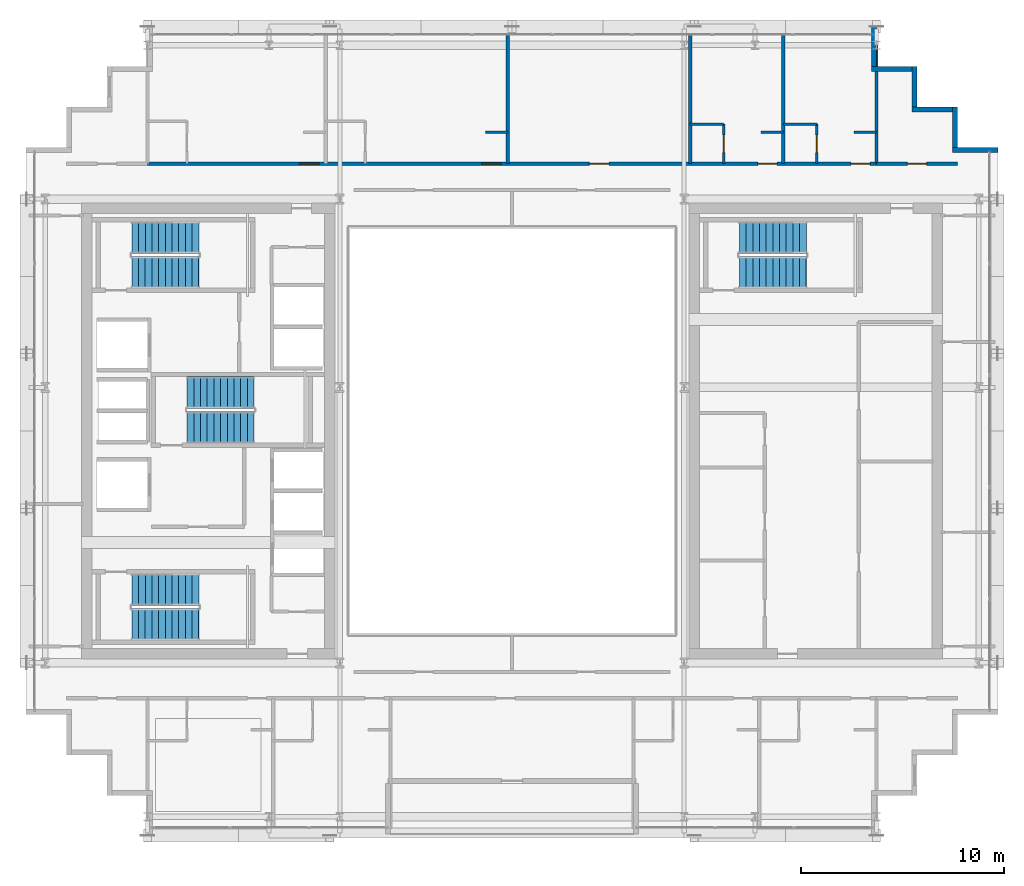
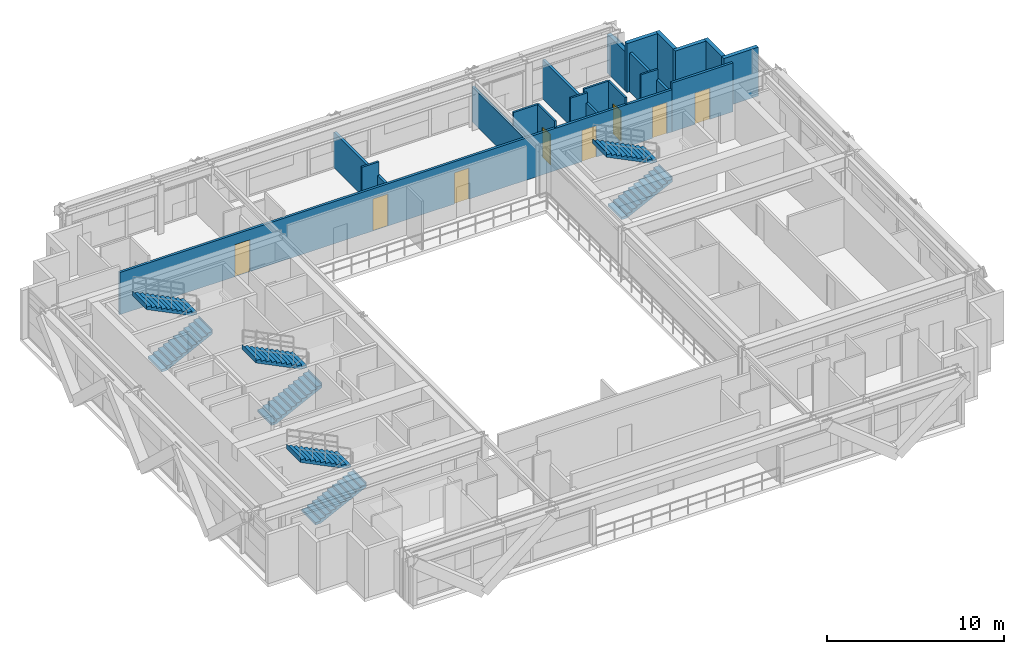
# One storey, part 28 of 32: 19 walls, 8 doors, 8 stair flights, 8 openings, 4 elements without a shape of their own.
"""IFC4 building model written with IfcOpenShell, lengths in metres."""

import ifcopenshell
import ifcopenshell.guid

model = None  # the IFC model being written
_history = None  # IfcOwnerHistory: only IFC2X3 demands one
_inside = {}  # id of a spatial element -> (the spatial element, [elements in it])
_under = {}  # id of a project, library or spatial element -> (it, [spatial elements below it])
_declared = {}  # id of a project -> (the project, [libraries it declares])
_typed = {}  # id of a type object -> (the type object, [elements of that type])
_made_of = {}  # id of a material, layer set ... -> (it, [elements and type objects made of it])


def new_model(schema):
    """Start an empty IFC model of exactly this schema.

    Asked for "IFC4X3", IfcOpenShell would pick the latest addendum, in which some entities
    have other attributes; the version numbers below select the first issue.
    IFC2X3 requires an IfcOwnerHistory on every rooted entity: one is made here for all.
    """
    global model, _history
    if schema == "IFC4X3":
        model = ifcopenshell.file(schema_version=(4, 3, 0, 0))
    else:
        model = ifcopenshell.file(schema=schema)
    _inside.clear()
    _under.clear()
    _declared.clear()
    _typed.clear()
    _made_of.clear()
    _history = None
    if model.schema == "IFC2X3":
        org = make("IfcOrganization", Name="unknown")
        user = make(
            "IfcPersonAndOrganization",
            ThePerson=make("IfcPerson", FamilyName="unknown"),
            TheOrganization=org,
        )
        app = make(
            "IfcApplication",
            ApplicationDeveloper=org,
            Version="unknown",
            ApplicationFullName="unknown",
            ApplicationIdentifier="unknown",
        )
        _history = make(
            "IfcOwnerHistory",
            OwningUser=user,
            OwningApplication=app,
            ChangeAction="ADDED",
            CreationDate=0,
        )
    return model


def make(cls, **values):
    """One entity of the class cls with the attributes given. An attribute that is None is left unset."""
    return model.create_entity(
        cls, **{name: value for name, value in values.items() if value is not None}
    )


def rooted(cls, **values):
    """An entity with a GlobalId (a new one), such as an element, a storey or a relation."""
    return make(cls, GlobalId=ifcopenshell.guid.new(), OwnerHistory=_history, **values)


def si_unit(unit_type, name, prefix=None):
    """IfcSIUnit, for example si_unit("LENGTHUNIT", "METRE", prefix="MILLI")."""
    return make("IfcSIUnit", UnitType=unit_type, Prefix=prefix, Name=name)


def assignment(units):
    """IfcUnitAssignment: the units of a project."""
    return None if units is None else make("IfcUnitAssignment", Units=units)


def point(xyz):
    """IfcCartesianPoint."""
    return None if xyz is None else make("IfcCartesianPoint", Coordinates=xyz)


def direction(xyz):
    """IfcDirection."""
    return None if xyz is None else make("IfcDirection", DirectionRatios=xyz)


def frame(location, z_axis=None, x_axis=None):
    """IfcAxis2Placement3D, a coordinate frame: its origin and axes. An axis left out is left unset."""
    return make(
        "IfcAxis2Placement3D",
        Location=point(location),
        Axis=direction(z_axis),
        RefDirection=direction(x_axis),
    )


def frame_2d(location, x_axis=None):
    """IfcAxis2Placement2D, a coordinate frame in the plane: its origin and x axis."""
    return make(
        "IfcAxis2Placement2D", Location=point(location), RefDirection=direction(x_axis)
    )


def origin():
    """The frame at (0, 0, 0) with its axes left unset."""
    return frame((0.0, 0.0, 0.0))


def place(relative_to, where):
    """IfcLocalPlacement: puts the frame where relative to a parent placement (None: the world)."""
    return make(
        "IfcLocalPlacement", PlacementRelTo=relative_to, RelativePlacement=where
    )


def context(
    kind, dimensions, precision=None, world=None, true_north=None, identifier=None
):
    """IfcGeometricRepresentationContext, for example the 3D "Model" context."""
    return make(
        "IfcGeometricRepresentationContext",
        ContextIdentifier=identifier,
        ContextType=kind,
        CoordinateSpaceDimension=dimensions,
        Precision=precision,
        WorldCoordinateSystem=world,
        TrueNorth=true_north,
    )


def subcontext(parent, identifier, kind, view, scale=None):
    """IfcGeometricRepresentationSubContext, for example "Body" below "Model"."""
    return make(
        "IfcGeometricRepresentationSubContext",
        ContextIdentifier=identifier,
        ContextType=kind,
        ParentContext=parent,
        TargetScale=scale,
        TargetView=view,
    )


def project(units=None, contexts=None):
    """IfcProject with its units and contexts."""
    return rooted(
        "IfcProject",
        Name="project",
        RepresentationContexts=contexts,
        UnitsInContext=assignment(units),
    )


def spatial(cls, under=None, at=None, **own):
    """A site, building, storey or space (cls), placed at a placement, below another one or the project."""
    s = rooted(cls, ObjectPlacement=at, **own)
    if under is not None:
        _under.setdefault(under.id(), (under, []))[1].append(s)
    return s


def polyline(points):
    """IfcPolyline through the points."""
    return make("IfcPolyline", Points=[point(p) for p in points])


def profile(cls, at=None, kind="AREA", **sizes):
    """A parametric profile (cls). Its sizes go by their IFC names, for example OverallWidth=200.0."""
    return make(cls, ProfileType=kind, Position=at, **sizes)


def rectangle(**sizes):
    """IfcRectangleProfileDef."""
    return profile("IfcRectangleProfileDef", **sizes)


def outline(outer, holes=None, kind="AREA"):
    """IfcArbitraryClosedProfileDef: a profile drawn as a closed curve; with holes, ...WithVoids."""
    if holes is None:
        return make("IfcArbitraryClosedProfileDef", ProfileType=kind, OuterCurve=outer)
    return make(
        "IfcArbitraryProfileDefWithVoids",
        ProfileType=kind,
        OuterCurve=outer,
        InnerCurves=holes,
    )


def extrude(swept, where, along, depth):
    """IfcExtrudedAreaSolid: the profile swept, set in the frame where, extruded along a direction by depth."""
    return make(
        "IfcExtrudedAreaSolid",
        SweptArea=swept,
        Position=where,
        ExtrudedDirection=direction(along),
        Depth=depth,
    )


def shape(context_of_items, identifier, shape_type, items):
    """IfcShapeRepresentation: the items that make up one representation, for example the "Body"."""
    return make(
        "IfcShapeRepresentation",
        ContextOfItems=context_of_items,
        RepresentationIdentifier=identifier,
        RepresentationType=shape_type,
        Items=items,
    )


def source(mapping_origin, context_of_items, identifier, shape_type, items):
    """IfcRepresentationMap: a shape defined once, which mapped items show again and again."""
    return make(
        "IfcRepresentationMap",
        MappingOrigin=mapping_origin,
        MappedRepresentation=shape(context_of_items, identifier, shape_type, items),
    )


def transform(
    local_origin,
    x_axis=None,
    y_axis=None,
    z_axis=None,
    scale=None,
    scale2=None,
    scale3=None,
    uniform=True,
):
    """IfcCartesianTransformationOperator3D, or its non-uniform kind. x_axis, y_axis, z_axis: its Axis1, 2, 3."""
    if uniform:
        return make(
            "IfcCartesianTransformationOperator3D",
            Axis1=direction(x_axis),
            Axis2=direction(y_axis),
            LocalOrigin=point(local_origin),
            Scale=scale,
            Axis3=direction(z_axis),
        )
    return make(
        "IfcCartesianTransformationOperator3DnonUniform",
        Axis1=direction(x_axis),
        Axis2=direction(y_axis),
        LocalOrigin=point(local_origin),
        Scale=scale,
        Axis3=direction(z_axis),
        Scale2=scale2,
        Scale3=scale3,
    )


def mapped(mapping_source, mapping_target):
    """IfcMappedItem: shows the shape of a source again, moved by a transform."""
    return make(
        "IfcMappedItem", MappingSource=mapping_source, MappingTarget=mapping_target
    )


def material(Name=None, Category=None):
    """IfcMaterial."""
    return make("IfcMaterial", Name=Name, Category=Category)


def layer(
    of_material, thickness, ventilated=None, Name=None, Category=None, Priority=None
):
    """IfcMaterialLayer: one layer of a wall or slab, of a material (None: an air gap)."""
    return make(
        "IfcMaterialLayer",
        Material=of_material,
        LayerThickness=thickness,
        IsVentilated=ventilated,
        Name=Name,
        Category=Category,
        Priority=Priority,
    )


def layer_set(layers, Name=None):
    """IfcMaterialLayerSet."""
    return make("IfcMaterialLayerSet", MaterialLayers=layers, LayerSetName=Name)


def made_of(thing, what):
    """Note that an element or type object is made of a material, layer set ...; save() writes the relation."""
    if what is not None:
        _made_of.setdefault(what.id(), (what, []))[1].append(thing)
    return thing


def type_object(cls, material=None, **own):
    """A type object (cls), such as IfcWallType, which elements share."""
    return made_of(rooted(cls, **own), material)


def element(
    cls,
    number,
    at=None,
    inside=None,
    cuts=None,
    type_object=None,
    material=None,
    context=None,
    identifier="Body",
    shape_type=None,
    held_by="IfcProductDefinitionShape",
    body=None,
    shapes=None,
    **own,
):
    """One element of the class cls, such as IfcWall. Its Tag is "e" and its number.

    at: its placement. inside: the storey or other place that contains it. cuts: it is an
    opening in that element (IfcRelVoidsElement). A single representation is given by context,
    identifier, shape_type and body (its items); several are given by shapes. held_by: the class
    of the entity that holds the representations. save() writes the other relations.
    """
    e = rooted(cls, Tag="e%d" % number, ObjectPlacement=at, **own)
    if body is not None:
        shapes = [shape(context, identifier, shape_type, body)]
    if shapes is not None:
        e.Representation = make(held_by, Representations=shapes)
    if inside is not None:
        _inside.setdefault(inside.id(), (inside, []))[1].append(e)
    if cuts is not None:
        rooted(
            "IfcRelVoidsElement", RelatingBuildingElement=cuts, RelatedOpeningElement=e
        )
    if type_object is not None:
        _typed.setdefault(type_object.id(), (type_object, []))[1].append(e)
    return made_of(e, material)


def fill(opening, filler):
    """IfcRelFillsElement: the door or window that sits in an opening."""
    return rooted(
        "IfcRelFillsElement",
        RelatingOpeningElement=opening,
        RelatedBuildingElement=filler,
    )


def aggregate(whole, parts):
    """IfcRelAggregates: a whole, such as a stair, and the parts it consists of."""
    return rooted("IfcRelAggregates", RelatingObject=whole, RelatedObjects=parts)


def save(model, path):
    """Write the relations noted so far, then the file.

    IfcRelAggregates (storeys below a building ...), IfcRelContainedInSpatialStructure (elements
    in a storey), IfcRelDefinesByType, IfcRelAssociatesMaterial and IfcRelDeclares: one each for
    every whole, place, type object, material and project.
    """
    for whole, parts in _under.values():
        aggregate(whole, parts)
    for where, things in _inside.values():
        rooted(
            "IfcRelContainedInSpatialStructure",
            RelatedElements=things,
            RelatingStructure=where,
        )
    for kind, things in _typed.values():
        rooted("IfcRelDefinesByType", RelatedObjects=things, RelatingType=kind)
    for what, things in _made_of.values():
        rooted("IfcRelAssociatesMaterial", RelatedObjects=things, RelatingMaterial=what)
    for by, libraries in _declared.values():
        rooted("IfcRelDeclares", RelatingContext=by, RelatedDefinitions=libraries)
    model.write(path)


model = new_model("IFC4")

# Units and contexts
model_context = context("Model", 3, precision=1e-05, world=origin(), true_north=direction((0.0, 1.0)))
body_context = subcontext(model_context, "Body", "Model", "MODEL_VIEW")
ifc_project = project(units=[si_unit("LENGTHUNIT", "METRE"), si_unit("AREAUNIT", "SQUARE_METRE"), si_unit("VOLUMEUNIT", "CUBIC_METRE"), si_unit("PLANEANGLEUNIT", "RADIAN"), si_unit("MASSUNIT", "GRAM", prefix="KILO")], contexts=[model_context])

# Site, building, storey
site_placement = place(None, origin())
site = spatial("IfcSite", under=ifc_project, at=site_placement, CompositionType="ELEMENT")
building_placement = place(site_placement, origin())
building = spatial("IfcBuilding", under=site, at=building_placement, Name="Ocotamira Hotel", CompositionType="ELEMENT")
storey_placement = place(building_placement, frame((0.0, 0.0, 177.60009765625)))
storey = spatial("IfcBuildingStorey", under=building, at=storey_placement, Name="L44", CompositionType="ELEMENT", Elevation=177.60009765625)

# Walls
ifc_material_1 = material(Name="Precast concrete C45/55", Category="concrete")
ifc_layer_1 = layer(ifc_material_1, 0.25)
ifc_layer_set_1 = layer_set([ifc_layer_1], Name="Precast concrete C45/55")
wall_type_1 = type_object("IfcWallType", Name="WL-EXT-SER-250", PredefinedType="SOLIDWALL", material=ifc_layer_set_1)
wall_1_placement = place(storey_placement, frame((56.0, 39.875, 0.0), z_axis=(0.0, 0.0, 1.0), x_axis=(-1.0, 0.0, 0.0)))
element("IfcWall", 1, at=wall_1_placement, inside=storey, type_object=wall_type_1, Name="L44 Serrated Corner Wall 07", PredefinedType="SOLIDWALL", context=body_context, shape_type="SweptSolid", body=[
    extrude(rectangle(XDim=2.25, YDim=0.25, at=frame_2d((1.125, 0.0))), origin(), (0.0, 0.0, 1.0), 3.369873046875),
])
for number, where, z_axis, x_axis, name in (
    (2, (53.875, 40.0, 0.0), (0.0, 0.0, 1.0), (0.0, 1.0, 0.0), "L44 Serrated Corner Wall 08"),
    (3, (53.75, 41.875, 0.0), (0.0, 0.0, 1.0), (-1.0, 0.0, 0.0), "L44 Serrated Corner Wall 09"),
    (4, (51.875, 42.0, 0.0), (0.0, 0.0, 1.0), (0.0, 1.0, 0.0), "L44 Serrated Corner Wall 10"),
    (5, (51.75, 43.875, 0.0), (0.0, 0.0, 1.0), (-1.0, 0.0, 0.0), "L44 Serrated Corner Wall 11"),
):
    element("IfcWall", number, at=place(storey_placement, frame(where, z_axis=z_axis, x_axis=x_axis)), inside=storey, type_object=wall_type_1, Name=name, PredefinedType="SOLIDWALL", context=body_context, shape_type="SweptSolid", body=[
        extrude(rectangle(XDim=2.0, YDim=0.25, at=frame_2d((1.0, 0.0))), origin(), (0.0, 0.0, 1.0), 3.369873046875),
    ])
wall_2_placement = place(storey_placement, frame((49.875, 44.0, 0.0), z_axis=(0.0, 0.0, 1.0), x_axis=(0.0, 1.0, 0.0)))
element("IfcWall", 6, at=wall_2_placement, inside=storey, type_object=wall_type_1, Name="L44 Serrated Corner Wall 12", PredefinedType="SOLIDWALL", context=body_context, shape_type="SweptSolid", body=[
    extrude(rectangle(XDim=2.0, YDim=0.25, at=frame_2d((1.0, 0.0))), origin(), (0.0, 0.0, 1.0), 2.677001953125),
])

# Wall, opening, door
ifc_material_2 = material(Name="Acoustic double-layer fire gypsum board partition", Category="gypsum")
ifc_layer_2 = layer(ifc_material_2, 0.159912109375)
ifc_layer_set_2 = layer_set([ifc_layer_2], Name="Acoustic double-layer fire gypsum board partition")
wall_type_2 = type_object("IfcWallType", Name="WL-FIRE-160", PredefinedType="PARTITIONING", material=ifc_layer_set_2)
wall_3_placement = place(storey_placement, frame((50.0, 39.199951171875, 0.0), z_axis=(0.0, 0.0, 1.0), x_axis=(1.0, 0.0, 0.0)))
wall_3 = element("IfcWall", 7, at=wall_3_placement, inside=storey, type_object=wall_type_2, Name="L44 Interior Wall PW-L44-Z3B-CNE-CW", PredefinedType="PARTITIONING", context=body_context, shape_type="SweptSolid", body=[
    extrude(rectangle(XDim=4.0, YDim=0.159912109375, at=frame_2d((2.0, 0.0))), origin(), (0.0, 0.0, 1.0), 3.369873046875),
])
opening_1_placement = place(wall_3_placement, frame((1.52001953125, 0.0, 0.0)))
opening_1 = element("IfcOpeningElement", 8, at=opening_1_placement, cuts=wall_3, Name="Opening D-SV4", PredefinedType="OPENING", context=body_context, shape_type="SweptSolid", body=[
    extrude(rectangle(XDim=0.9599609375, YDim=2.14990234375, at=frame_2d((0.47998046875, 1.074951171875))), frame((0.0, 0.08984375, 0.0), z_axis=(0.0, -1.0, 0.0), x_axis=(1.0, 0.0, 0.0)), (0.0, 0.0, 1.0), 0.179931640625),
])
ifc_material_3 = material(Name="Fire-rated accessible walnut salon door", Category="wood")
door_type_1 = type_object("IfcDoorType", Name="DR-SERV-960", OperationType="NOTDEFINED", PredefinedType="DOOR", material=ifc_material_3)
shared_shape_1 = source(origin(), body_context, "Body", "SweptSolid", [
    extrude(rectangle(XDim=0.9599609375, YDim=2.14990234375, at=frame_2d((0.47998046875, 1.074951171875))), frame((0.0, 0.02490234375, 0.0), z_axis=(0.0, -1.0, 0.0), x_axis=(1.0, 0.0, 0.0)), (0.0, 0.0, 1.0), 0.050048828125),
])
door_1_placement = place(opening_1_placement, origin())
door_1 = element("IfcDoor", 9, at=door_1_placement, inside=storey, type_object=door_type_1, Name="L44 Door ID-L44-Z3B-CNE-CD [ID-L44-Z3B-CNE-CD]", OperationType="SINGLE_SWING_LEFT", OverallHeight=2.14990234375, OverallWidth=0.9599609375, PredefinedType="DOOR", context=body_context, shape_type="MappedRepresentation", body=[
    mapped(shared_shape_1, transform((0.0, 0.0, 0.0), scale=1.0)),
])
fill(opening_1, door_1)

# Wall, openings, doors
wall_4_placement = place(storey_placement, frame((14.0, 39.199951171875, 0.0), z_axis=(0.0, 0.0, 1.0), x_axis=(1.0, 0.0, 0.0)))
wall_4 = element("IfcWall", 10, at=wall_4_placement, inside=storey, type_object=wall_type_2, Name="L44 Interior Wall PW-L44-Z3BN-CORRW", PredefinedType="PARTITIONING", context=body_context, shape_type="SweptSolid", body=[
    extrude(rectangle(XDim=36.0, YDim=0.159912109375, at=frame_2d((18.0, 0.0))), origin(), (0.0, 0.0, 1.0), 2.912841796875),
])
opening_2_placement = place(wall_4_placement, frame((7.5, 0.0, 0.0)))
opening_2 = element("IfcOpeningElement", 11, at=opening_2_placement, cuts=wall_4, Name="Opening D-GR2", PredefinedType="OPENING", context=body_context, shape_type="SweptSolid", body=[
    extrude(rectangle(XDim=0.97998046875, YDim=2.199951171875, at=frame_2d((0.489990234375, 1.10009765625))), frame((0.0, 0.08984375, 0.0), z_axis=(0.0, -1.0, 0.0), x_axis=(1.0, 0.0, 0.0)), (0.0, 0.0, 1.0), 0.179931640625),
])
opening_3_placement = place(wall_4_placement, frame((16.5, 0.0, 0.0)))
opening_3 = element("IfcOpeningElement", 12, at=opening_3_placement, cuts=wall_4, Name="Opening D-GR2", PredefinedType="OPENING", context=body_context, shape_type="SweptSolid", body=[
    extrude(rectangle(XDim=0.97998046875, YDim=2.199951171875, at=frame_2d((0.489990234375, 1.10009765625))), frame((0.0, 0.08984375, 0.0), z_axis=(0.0, -1.0, 0.0), x_axis=(1.0, 0.0, 0.0)), (0.0, 0.0, 1.0), 0.179931640625),
])
opening_4_placement = place(wall_4_placement, frame((21.820068359375, 0.0, 0.0)))
opening_4 = element("IfcOpeningElement", 13, at=opening_4_placement, cuts=wall_4, Name="Opening D-SV4", PredefinedType="OPENING", context=body_context, shape_type="SweptSolid", body=[
    extrude(rectangle(XDim=0.9599609375, YDim=2.14990234375, at=frame_2d((0.47998046875, 1.074951171875))), frame((0.0, 0.08984375, 0.0), z_axis=(0.0, -1.0, 0.0), x_axis=(1.0, 0.0, 0.0)), (0.0, 0.0, 1.0), 0.179931640625),
])
opening_5_placement = place(wall_4_placement, frame((30.139892578125, 0.0, 0.0)))
opening_5 = element("IfcOpeningElement", 14, at=opening_5_placement, cuts=wall_4, Name="Opening D-GR1", PredefinedType="OPENING", context=body_context, shape_type="SweptSolid", body=[
    extrude(rectangle(XDim=0.93994140625, YDim=2.14990234375, at=frame_2d((0.469970703125, 1.074951171875))), frame((0.0, 0.08984375, 0.0), z_axis=(0.0, -1.0, 0.0), x_axis=(1.0, 0.0, 0.0)), (0.0, 0.0, 1.0), 0.179931640625),
])
opening_6_placement = place(wall_4_placement, frame((34.739990234375, 0.0, 0.0)))
opening_6 = element("IfcOpeningElement", 15, at=opening_6_placement, cuts=wall_4, Name="Opening D-GR1", PredefinedType="OPENING", context=body_context, shape_type="SweptSolid", body=[
    extrude(rectangle(XDim=0.93994140625, YDim=2.14990234375, at=frame_2d((0.469970703125, 1.074951171875))), frame((0.0, 0.08984375, 0.0), z_axis=(0.0, -1.0, 0.0), x_axis=(1.0, 0.0, 0.0)), (0.0, 0.0, 1.0), 0.179931640625),
])
door_2_placement = place(opening_4_placement, origin())
door_2 = element("IfcDoor", 16, at=door_2_placement, inside=storey, type_object=door_type_1, Name="L44 Door ID-L44-Z3BN-AMD3 [ID-L44-Z3BN-AMD3]", OperationType="SINGLE_SWING_LEFT", OverallHeight=2.14990234375, OverallWidth=0.9599609375, PredefinedType="DOOR", context=body_context, shape_type="MappedRepresentation", body=[
    mapped(shared_shape_1, transform((0.0, 0.0, 0.0), scale=1.0)),
])
fill(opening_4, door_2)
ifc_material_4 = material(Name="Solid-core walnut suite entrance fire door", Category="wood")
door_type_2 = type_object("IfcDoorType", Name="DR-GUEST-940", OperationType="NOTDEFINED", PredefinedType="DOOR", material=ifc_material_4)
shared_shape_2 = source(origin(), body_context, "Body", "SweptSolid", [
    extrude(rectangle(XDim=0.93994140625, YDim=2.14990234375, at=frame_2d((0.469970703125, 1.074951171875))), frame((0.0, 0.02490234375, 0.0), z_axis=(0.0, -1.0, 0.0), x_axis=(1.0, 0.0, 0.0)), (0.0, 0.0, 1.0), 0.050048828125),
])
door_3_placement = place(opening_5_placement, origin())
door_3 = element("IfcDoor", 17, at=door_3_placement, inside=storey, type_object=door_type_2, Name="L44 Door ID-L44-Z3BN-RMD4 [ID-L44-Z3BN-RMD4]", OperationType="SINGLE_SWING_RIGHT", OverallHeight=2.14990234375, OverallWidth=0.93994140625, PredefinedType="DOOR", context=body_context, shape_type="MappedRepresentation", body=[
    mapped(shared_shape_2, transform((0.0, 0.0, 0.0), scale=1.0)),
])
fill(opening_5, door_3)
door_4_placement = place(opening_6_placement, origin())
door_4 = element("IfcDoor", 18, at=door_4_placement, inside=storey, type_object=door_type_2, Name="L44 Door ID-L44-Z3BN-RMD5 [ID-L44-Z3BN-RMD5]", OperationType="SINGLE_SWING_LEFT", OverallHeight=2.14990234375, OverallWidth=0.93994140625, PredefinedType="DOOR", context=body_context, shape_type="MappedRepresentation", body=[
    mapped(shared_shape_2, transform((0.0, 0.0, 0.0), scale=1.0)),
])
fill(opening_6, door_4)
ifc_material_5 = material(Name="Solid-core walnut grand-suite entrance fire door", Category="wood")
door_type_3 = type_object("IfcDoorType", Name="DR-GUEST-980", OperationType="NOTDEFINED", PredefinedType="DOOR", material=ifc_material_5)
shared_shape_3 = source(origin(), body_context, "Body", "SweptSolid", [
    extrude(rectangle(XDim=0.97998046875, YDim=2.199951171875, at=frame_2d((0.489990234375, 1.10009765625))), frame((0.0, 0.02490234375, 0.0), z_axis=(0.0, -1.0, 0.0), x_axis=(1.0, 0.0, 0.0)), (0.0, 0.0, 1.0), 0.050048828125),
])
door_5_placement = place(opening_2_placement, origin())
door_5 = element("IfcDoor", 19, at=door_5_placement, inside=storey, type_object=door_type_3, Name="L44 Door ID-L44-Z3BN-RMD1 [ID-L44-Z3BN-RMD1]", OperationType="SINGLE_SWING_LEFT", OverallHeight=2.199951171875, OverallWidth=0.97998046875, PredefinedType="DOOR", context=body_context, shape_type="MappedRepresentation", body=[
    mapped(shared_shape_3, transform((0.0, 0.0, 0.0), scale=1.0)),
])
fill(opening_2, door_5)
door_6_placement = place(opening_3_placement, origin())
door_6 = element("IfcDoor", 20, at=door_6_placement, inside=storey, type_object=door_type_3, Name="L44 Door ID-L44-Z3BN-RMD2 [ID-L44-Z3BN-RMD2]", OperationType="SINGLE_SWING_RIGHT", OverallHeight=2.199951171875, OverallWidth=0.97998046875, PredefinedType="DOOR", context=body_context, shape_type="MappedRepresentation", body=[
    mapped(shared_shape_3, transform((0.0, 0.0, 0.0), scale=1.0)),
])
fill(opening_3, door_6)

# Wall
ifc_material_6 = material(Name="Moisture-resistant en-suite tile and gypsum partition", Category="gypsum")
ifc_layer_3 = layer(ifc_material_6, 0.1201171875)
ifc_layer_set_3 = layer_set([ifc_layer_3], Name="Moisture-resistant en-suite tile and gypsum partition")
wall_type_3 = type_object("IfcWallType", Name="WL-PART-120", PredefinedType="PARTITIONING", material=ifc_layer_set_3)
wall_5_placement = place(storey_placement, frame((30.699951171875, 40.75, 0.0), z_axis=(0.0, 0.0, 1.0), x_axis=(1.0, 0.0, 0.0)))
element("IfcWall", 21, at=wall_5_placement, inside=storey, type_object=wall_type_3, Name="L44 Interior Wall PW-L44-Z3BN-DRN2", PredefinedType="PARTITIONING", context=body_context, shape_type="SweptSolid", body=[
    extrude(rectangle(XDim=1.10009765625, YDim=0.1201171875, at=frame_2d((0.550048828125, 0.0))), origin(), (0.0, 0.0, 1.0), 3.369873046875),
])

# Wall, opening, door
wall_6_placement = place(storey_placement, frame((42.449951171875, 39.199951171875, 0.0), z_axis=(0.0, 0.0, 1.0), x_axis=(0.0, 1.0, 0.0)))
wall_6 = element("IfcWall", 22, at=wall_6_placement, inside=storey, type_object=wall_type_3, Name="L44 Interior Wall PW-L44-Z3BN-BAE4", PredefinedType="PARTITIONING", context=body_context, shape_type="SweptSolid", body=[
    extrude(rectangle(XDim=1.949951171875, YDim=0.1201171875, at=frame_2d((0.97509765625, 0.0))), origin(), (0.0, 0.0, 1.0), 3.369873046875),
])
opening_7_placement = place(wall_6_placement, frame((0.544921875, 0.0, 0.0)))
opening_7 = element("IfcOpeningElement", 23, at=opening_7_placement, cuts=wall_6, Name="Opening D-BA1", PredefinedType="OPENING", context=body_context, shape_type="SweptSolid", body=[
    extrude(rectangle(XDim=0.860107421875, YDim=2.10009765625, at=frame_2d((0.43017578125, 1.050048828125))), frame((0.0, 0.070068359375, 0.0), z_axis=(0.0, -1.0, 0.0), x_axis=(1.0, 0.0, 0.0)), (0.0, 0.0, 1.0), 0.14013671875),
])
ifc_material_7 = material(Name="Moisture-sealed en-suite timber door", Category="wood")
door_type_4 = type_object("IfcDoorType", Name="DR-BATH-860", OperationType="NOTDEFINED", PredefinedType="DOOR", material=ifc_material_7)
shared_shape_4 = source(origin(), body_context, "Body", "SweptSolid", [
    extrude(rectangle(XDim=0.860107421875, YDim=2.10009765625, at=frame_2d((0.43017578125, 1.050048828125))), frame((0.0, 0.02490234375, 0.0), z_axis=(0.0, -1.0, 0.0), x_axis=(1.0, 0.0, 0.0)), (0.0, 0.0, 1.0), 0.050048828125),
])
door_7_placement = place(opening_7_placement, origin())
door_7 = element("IfcDoor", 24, at=door_7_placement, inside=storey, type_object=door_type_4, Name="L44 Door ID-L44-Z3BN-BAD4 [ID-L44-Z3BN-BAD4]", OperationType="SINGLE_SWING_LEFT", OverallHeight=2.10009765625, OverallWidth=0.860107421875, PredefinedType="DOOR", context=body_context, shape_type="MappedRepresentation", body=[
    mapped(shared_shape_4, transform((0.0, 0.0, 0.0), scale=1.0)),
])
fill(opening_7, door_7)

# Walls
wall_7_placement = place(storey_placement, frame((40.800048828125, 41.14990234375, 0.0), z_axis=(0.0, 0.0, 1.0), x_axis=(1.0, 0.0, 0.0)))
element("IfcWall", 25, at=wall_7_placement, inside=storey, type_object=wall_type_3, Name="L44 Interior Wall PW-L44-Z3BN-BAN4", PredefinedType="PARTITIONING", context=body_context, shape_type="SweptSolid", body=[
    extrude(rectangle(XDim=1.64990234375, YDim=0.1201171875, at=frame_2d((0.824951171875, 0.0))), origin(), (0.0, 0.0, 1.0), 3.369873046875),
])
wall_8_placement = place(storey_placement, frame((44.300048828125, 40.75, 0.0), z_axis=(0.0, 0.0, 1.0), x_axis=(1.0, 0.0, 0.0)))
element("IfcWall", 26, at=wall_8_placement, inside=storey, type_object=wall_type_3, Name="L44 Interior Wall PW-L44-Z3BN-DRN4", PredefinedType="PARTITIONING", context=body_context, shape_type="SweptSolid", body=[
    extrude(rectangle(XDim=1.099853515625, YDim=0.1201171875, at=frame_2d((0.5498046875, 0.0))), origin(), (0.0, 0.0, 1.0), 3.369873046875),
])

# Wall, opening, door
wall_9_placement = place(storey_placement, frame((47.050048828125, 39.199951171875, 0.0), z_axis=(0.0, 0.0, 1.0), x_axis=(0.0, 1.0, 0.0)))
wall_9 = element("IfcWall", 27, at=wall_9_placement, inside=storey, type_object=wall_type_3, Name="L44 Interior Wall PW-L44-Z3BN-BAE5", PredefinedType="PARTITIONING", context=body_context, shape_type="SweptSolid", body=[
    extrude(rectangle(XDim=1.949951171875, YDim=0.1201171875, at=frame_2d((0.97509765625, 0.0))), origin(), (0.0, 0.0, 1.0), 3.369873046875),
])
opening_8_placement = place(wall_9_placement, frame((0.544921875, 0.0, 0.0)))
opening_8 = element("IfcOpeningElement", 28, at=opening_8_placement, cuts=wall_9, Name="Opening D-BA1", PredefinedType="OPENING", context=body_context, shape_type="SweptSolid", body=[
    extrude(rectangle(XDim=0.860107421875, YDim=2.10009765625, at=frame_2d((0.43017578125, 1.050048828125))), frame((0.0, 0.070068359375, 0.0), z_axis=(0.0, -1.0, 0.0), x_axis=(1.0, 0.0, 0.0)), (0.0, 0.0, 1.0), 0.14013671875),
])
door_8_placement = place(opening_8_placement, origin())
door_8 = element("IfcDoor", 29, at=door_8_placement, inside=storey, type_object=door_type_4, Name="L44 Door ID-L44-Z3BN-BAD5 [ID-L44-Z3BN-BAD5]", OperationType="SINGLE_SWING_RIGHT", OverallHeight=2.10009765625, OverallWidth=0.860107421875, PredefinedType="DOOR", context=body_context, shape_type="MappedRepresentation", body=[
    mapped(shared_shape_4, transform((0.0, 0.0, 0.0), scale=1.0)),
])
fill(opening_8, door_8)

# Walls
wall_10_placement = place(storey_placement, frame((45.39990234375, 41.14990234375, 0.0), z_axis=(0.0, 0.0, 1.0), x_axis=(1.0, 0.0, 0.0)))
element("IfcWall", 30, at=wall_10_placement, inside=storey, type_object=wall_type_3, Name="L44 Interior Wall PW-L44-Z3BN-BAN5", PredefinedType="PARTITIONING", context=body_context, shape_type="SweptSolid", body=[
    extrude(rectangle(XDim=1.650146484375, YDim=0.1201171875, at=frame_2d((0.8251953125, 0.0))), origin(), (0.0, 0.0, 1.0), 3.369873046875),
])
wall_11_placement = place(storey_placement, frame((48.89990234375, 40.75, 0.0), z_axis=(0.0, 0.0, 1.0), x_axis=(1.0, 0.0, 0.0)))
element("IfcWall", 31, at=wall_11_placement, inside=storey, type_object=wall_type_3, Name="L44 Interior Wall PW-L44-Z3BN-DRN5", PredefinedType="PARTITIONING", context=body_context, shape_type="SweptSolid", body=[
    extrude(rectangle(XDim=1.10009765625, YDim=0.1201171875, at=frame_2d((0.550048828125, 0.0))), origin(), (0.0, 0.0, 1.0), 3.369873046875),
])
ifc_material_8 = material(Name="Acoustic double-stud hospitality gypsum partition", Category="gypsum")
ifc_layer_4 = layer(ifc_material_8, 0.159912109375)
ifc_layer_set_4 = layer_set([ifc_layer_4], Name="Acoustic double-stud hospitality gypsum partition")
wall_type_4 = type_object("IfcWallType", Name="WL-PART-160", PredefinedType="PARTITIONING", material=ifc_layer_set_4)
wall_12_placement = place(storey_placement, frame((50.0, 39.199951171875, 0.0), z_axis=(0.0, 0.0, 1.0), x_axis=(0.0, 1.0, 0.0)))
element("IfcWall", 32, at=wall_12_placement, inside=storey, type_object=wall_type_4, Name="L44 Interior Wall PW-L44-Z3BN-PWEND", PredefinedType="PARTITIONING", context=body_context, shape_type="SweptSolid", body=[
    extrude(rectangle(XDim=6.43994140625, YDim=0.159912109375, at=frame_2d((3.219970703125, 0.0))), origin(), (0.0, 0.0, 1.0), 2.677001953125),
])
wall_13_placement = place(storey_placement, frame((40.800048828125, 39.199951171875, 0.0), z_axis=(0.0, 0.0, 1.0), x_axis=(0.0, 1.0, 0.0)))
element("IfcWall", 33, at=wall_13_placement, inside=storey, type_object=wall_type_4, Name="L44 Interior Wall PW-L44-Z3BN-PW3", PredefinedType="PARTITIONING", context=body_context, shape_type="SweptSolid", body=[
    extrude(rectangle(XDim=6.43994140625, YDim=0.159912109375, at=frame_2d((3.219970703125, 0.0))), origin(), (0.0, 0.0, 1.0), 2.44287109375),
])
wall_14_placement = place(storey_placement, frame((45.39990234375, 39.199951171875, 0.0), z_axis=(0.0, 0.0, 1.0), x_axis=(0.0, 1.0, 0.0)))
element("IfcWall", 34, at=wall_14_placement, inside=storey, type_object=wall_type_4, Name="L44 Interior Wall PW-L44-Z3BN-PW4", PredefinedType="PARTITIONING", context=body_context, shape_type="SweptSolid", body=[
    extrude(rectangle(XDim=6.43994140625, YDim=0.159912109375, at=frame_2d((3.219970703125, 0.0))), origin(), (0.0, 0.0, 1.0), 2.677001953125),
])
ifc_material_9 = material(Name="Double-stud suite party gypsum partition", Category="gypsum")
ifc_layer_5 = layer(ifc_material_9, 0.175048828125)
ifc_layer_set_5 = layer_set([ifc_layer_5], Name="Double-stud suite party gypsum partition")
wall_type_5 = type_object("IfcWallType", Name="WL-PART-175", PredefinedType="PARTITIONING", material=ifc_layer_set_5)
wall_15_placement = place(storey_placement, frame((31.800048828125, 39.199951171875, 0.0), z_axis=(0.0, 0.0, 1.0), x_axis=(0.0, 1.0, 0.0)))
element("IfcWall", 35, at=wall_15_placement, inside=storey, type_object=wall_type_5, Name="L44 Interior Wall PW-L44-Z3BN-PW2", PredefinedType="PARTITIONING", context=body_context, shape_type="SweptSolid", body=[
    extrude(rectangle(XDim=6.43994140625, YDim=0.175048828125, at=frame_2d((3.219970703125, 0.0))), origin(), (0.0, 0.0, 1.0), 2.44287109375),
])

# Stair, stair flights
ifc_material_10 = material(Name="Concrete C40/50", Category="concrete")
stair_type = type_object("IfcStairType", Name="ST-CORE-1560", PredefinedType="HALF_TURN_STAIR", material=ifc_material_10)
stair_1_placement = place(storey_placement, origin())
stair_1 = element("IfcStair", 36, at=stair_1_placement, inside=storey, type_object=stair_type, Name="L44 Exit Stair ST-1", PredefinedType="HALF_TURN_STAIR")
stair_flight_type = type_object("IfcStairFlightType", Name="STF-CORE-1560", PredefinedType="STRAIGHT", material=ifc_material_10)
shared_shape_5 = source(origin(), body_context, "Body", "SweptSolid", [
    extrude(outline(polyline([(-0.00390625, 0.0), (-0.00390625, 0.16357421875), (0.330078125, 0.16357421875), (0.330078125, 0.327392578125), (0.659912109375, 0.327392578125), (0.659912109375, 0.490966796875), (0.989990234375, 0.490966796875), (0.989990234375, 0.654541015625), (1.320068359375, 0.654541015625), (1.320068359375, 0.818115234375), (1.64990234375, 0.818115234375), (1.64990234375, 0.98193359375), (1.97998046875, 0.98193359375), (1.97998046875, 1.1455078125), (2.31005859375, 1.1455078125), (2.31005859375, 1.30908203125), (2.639892578125, 1.30908203125), (2.639892578125, 1.47265625), (2.969970703125, 1.47265625), (2.969970703125, 1.636474609375), (3.300048828125, 1.636474609375), (3.300048828125, 1.800048828125), (3.303955078125, 1.800048828125), (3.303955078125, 1.468994140625), (0.33740234375, 0.0), (-0.00390625, 0.0)])), frame((0.0, 0.780029296875, 0.0), z_axis=(0.0, -1.0, 0.0), x_axis=(1.0, 0.0, 0.0)), (0.0, 0.0, 1.0), 1.56005859375),
])
stair_flight_1_placement = place(storey_placement, frame((13.22998046875, 16.449951171875, 0.0), z_axis=(0.0, 0.0, 1.0), x_axis=(1.0, 0.0, 0.0)))
stair_flight_1 = element("IfcStairFlight", 37, at=stair_flight_1_placement, type_object=stair_flight_type, Name="ST-1 flight 1", NumberOfRisers=11, NumberOfTreads=10, PredefinedType="STRAIGHT", RiserHeight=0.163636364, TreadLength=0.33, context=body_context, shape_type="MappedRepresentation", body=[
    mapped(shared_shape_5, transform((0.0, 0.0, 0.0), scale=1.0)),
])
stair_flight_2_placement = place(storey_placement, frame((16.530029296875, 18.169921875, 1.7998046875), z_axis=(0.0, 0.0, 1.0), x_axis=(-1.0, 0.0, 0.0)))
stair_flight_2 = element("IfcStairFlight", 38, at=stair_flight_2_placement, type_object=stair_flight_type, Name="ST-1 flight 2", NumberOfRisers=11, NumberOfTreads=10, PredefinedType="STRAIGHT", RiserHeight=0.163636364, TreadLength=0.33, context=body_context, shape_type="MappedRepresentation", body=[
    mapped(shared_shape_5, transform((0.0, 0.0, 0.0), scale=1.0)),
])
aggregate(stair_1, [stair_flight_1, stair_flight_2])

stair_2_placement = place(storey_placement, origin())
stair_2 = element("IfcStair", 39, at=stair_2_placement, inside=storey, type_object=stair_type, Name="L44 Exit Stair ST-2", PredefinedType="HALF_TURN_STAIR")
stair_flight_3_placement = place(storey_placement, frame((13.22998046875, 33.830078125, 0.0), z_axis=(0.0, 0.0, 1.0), x_axis=(1.0, 0.0, 0.0)))
stair_flight_3 = element("IfcStairFlight", 40, at=stair_flight_3_placement, type_object=stair_flight_type, Name="ST-2 flight 1", NumberOfRisers=11, NumberOfTreads=10, PredefinedType="STRAIGHT", RiserHeight=0.163636364, TreadLength=0.33, context=body_context, shape_type="MappedRepresentation", body=[
    mapped(shared_shape_5, transform((0.0, 0.0, 0.0), scale=1.0)),
])
stair_flight_4_placement = place(storey_placement, frame((16.530029296875, 35.550048828125, 1.7998046875), z_axis=(0.0, 0.0, 1.0), x_axis=(-1.0, 0.0, 0.0)))
stair_flight_4 = element("IfcStairFlight", 41, at=stair_flight_4_placement, type_object=stair_flight_type, Name="ST-2 flight 2", NumberOfRisers=11, NumberOfTreads=10, PredefinedType="STRAIGHT", RiserHeight=0.163636364, TreadLength=0.33, context=body_context, shape_type="MappedRepresentation", body=[
    mapped(shared_shape_5, transform((0.0, 0.0, 0.0), scale=1.0)),
])
aggregate(stair_2, [stair_flight_3, stair_flight_4])

stair_3_placement = place(storey_placement, origin())
stair_3 = element("IfcStair", 42, at=stair_3_placement, inside=storey, type_object=stair_type, Name="L44 Exit Stair ST-3", PredefinedType="HALF_TURN_STAIR")
stair_flight_5_placement = place(storey_placement, frame((15.9599609375, 26.179931640625, 0.0), z_axis=(0.0, 0.0, 1.0), x_axis=(1.0, 0.0, 0.0)))
stair_flight_5 = element("IfcStairFlight", 43, at=stair_flight_5_placement, type_object=stair_flight_type, Name="ST-3 flight 1", NumberOfRisers=11, NumberOfTreads=10, PredefinedType="STRAIGHT", RiserHeight=0.163636364, TreadLength=0.33, context=body_context, shape_type="MappedRepresentation", body=[
    mapped(shared_shape_5, transform((0.0, 0.0, 0.0), scale=1.0)),
])
stair_flight_6_placement = place(storey_placement, frame((19.260009765625, 27.89990234375, 1.7998046875), z_axis=(0.0, 0.0, 1.0), x_axis=(-1.0, 0.0, 0.0)))
stair_flight_6 = element("IfcStairFlight", 44, at=stair_flight_6_placement, type_object=stair_flight_type, Name="ST-3 flight 2", NumberOfRisers=11, NumberOfTreads=10, PredefinedType="STRAIGHT", RiserHeight=0.163636364, TreadLength=0.33, context=body_context, shape_type="MappedRepresentation", body=[
    mapped(shared_shape_5, transform((0.0, 0.0, 0.0), scale=1.0)),
])
aggregate(stair_3, [stair_flight_5, stair_flight_6])

stair_4_placement = place(storey_placement, origin())
stair_4 = element("IfcStair", 45, at=stair_4_placement, inside=storey, type_object=stair_type, Name="L44 Exit Stair ST-4", PredefinedType="HALF_TURN_STAIR")
stair_flight_7_placement = place(storey_placement, frame((43.22998046875, 33.830078125, 0.0), z_axis=(0.0, 0.0, 1.0), x_axis=(1.0, 0.0, 0.0)))
stair_flight_7 = element("IfcStairFlight", 46, at=stair_flight_7_placement, type_object=stair_flight_type, Name="ST-4 flight 1", NumberOfRisers=11, NumberOfTreads=10, PredefinedType="STRAIGHT", RiserHeight=0.163636364, TreadLength=0.33, context=body_context, shape_type="MappedRepresentation", body=[
    mapped(shared_shape_5, transform((0.0, 0.0, 0.0), scale=1.0)),
])
stair_flight_8_placement = place(storey_placement, frame((46.530029296875, 35.550048828125, 1.7998046875), z_axis=(0.0, 0.0, 1.0), x_axis=(-1.0, 0.0, 0.0)))
stair_flight_8 = element("IfcStairFlight", 47, at=stair_flight_8_placement, type_object=stair_flight_type, Name="ST-4 flight 2", NumberOfRisers=11, NumberOfTreads=10, PredefinedType="STRAIGHT", RiserHeight=0.163636364, TreadLength=0.33, context=body_context, shape_type="MappedRepresentation", body=[
    mapped(shared_shape_5, transform((0.0, 0.0, 0.0), scale=1.0)),
])
aggregate(stair_4, [stair_flight_7, stair_flight_8])

save(model, "model.ifc")
